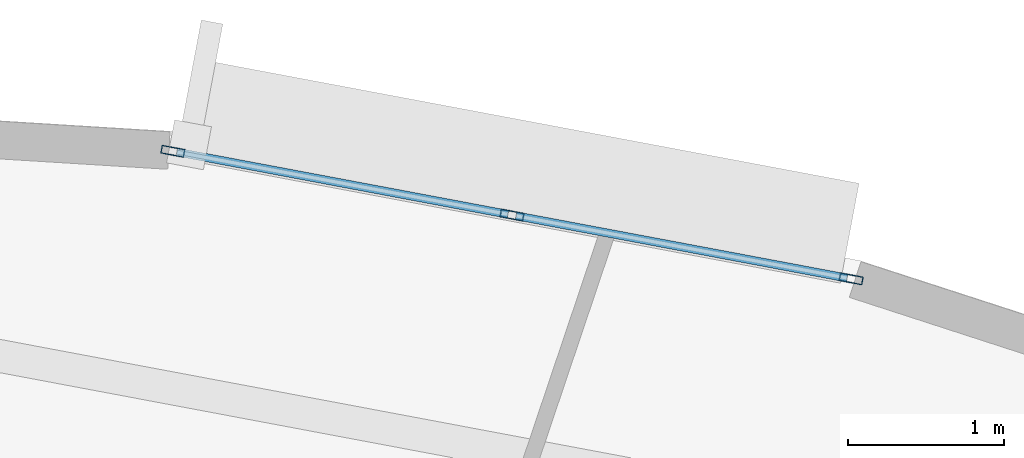
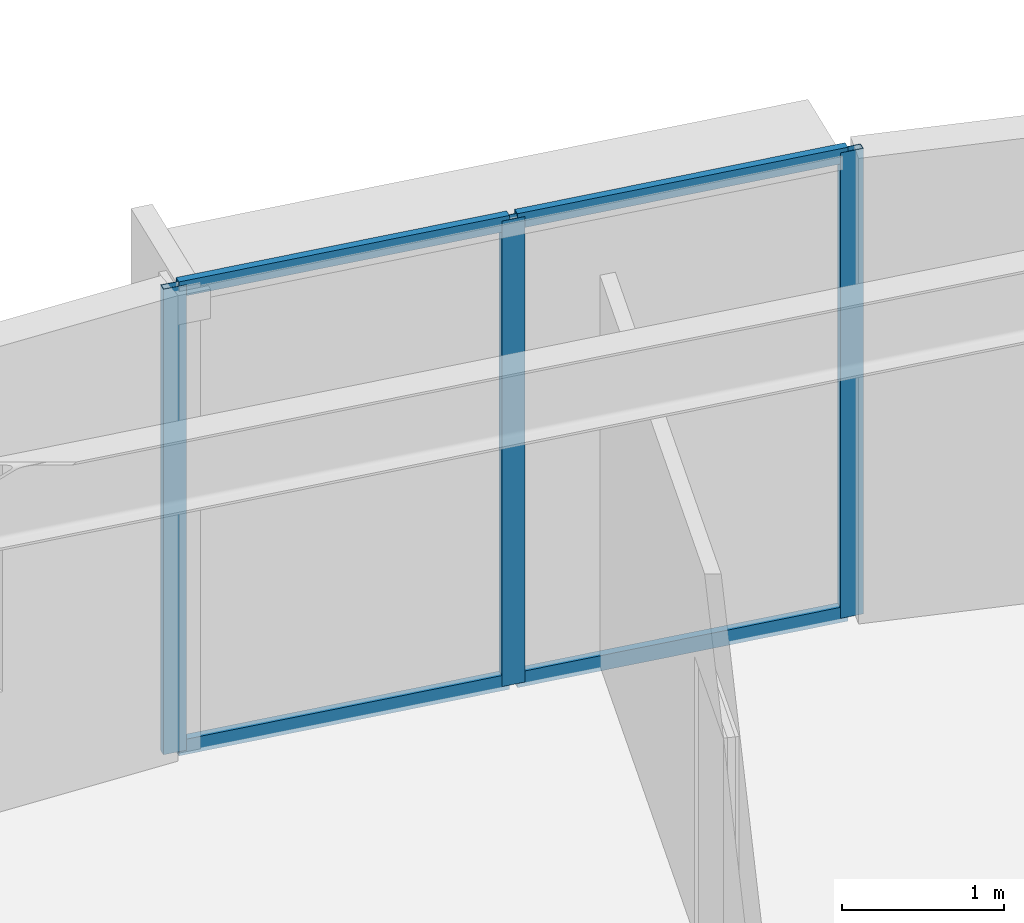
# One storey, part 4 of 19: 7 members, 1 element without a shape of its own.
"""IFC4 building model written with IfcOpenShell, lengths in metres."""

from ifc_helpers import new_model, si_unit, direction, frame, origin, origin_2d, place, context, subcontext, project, spatial, hollow_rectangle, extrude, source, transform, mapped, material, layer, layer_set, material_profile, profile_set, type_object, element, aggregate, save


model = new_model("IFC4")

# Units and contexts
model_context = context("Model", 3, precision=1e-05, world=origin(), true_north=direction((0.0, 1.0)))
body_context = subcontext(model_context, "Body", "Model", "MODEL_VIEW")
ifc_project = project(units=[si_unit("LENGTHUNIT", "METRE"), si_unit("AREAUNIT", "SQUARE_METRE"), si_unit("VOLUMEUNIT", "CUBIC_METRE"), si_unit("PLANEANGLEUNIT", "RADIAN"), si_unit("MASSUNIT", "GRAM", prefix="KILO")], contexts=[model_context])

# Site, building, storey
site_placement = place(None, origin())
site = spatial("IfcSite", under=ifc_project, at=site_placement, CompositionType="ELEMENT")
building_placement = place(site_placement, origin())
building = spatial("IfcBuilding", under=site, at=building_placement, Name="Linh Dai School and Residence Tower", CompositionType="ELEMENT")
storey_placement = place(building_placement, frame((0.0, 0.0, 112.199951171875)))
storey = spatial("IfcBuildingStorey", under=building, at=storey_placement, Name="L26", CompositionType="ELEMENT", Elevation=112.199951171875)

# Curtain wall, members
ifc_material_1 = material(Name="Aluminium Anodised Curtain Wall", Category="aluminium")
ifc_layer = layer(ifc_material_1, 0.14990234375)
ifc_layer_set = layer_set([ifc_layer], Name="Aluminium Anodised Curtain Wall")
curtain_wall_type = type_object("IfcCurtainWallType", Name="CW-SYS-4", PredefinedType="USERDEFINED", material=ifc_layer_set)
curtain_wall_placement = place(storey_placement, origin())
curtain_wall = element("IfcCurtainWall", 1, at=curtain_wall_placement, inside=storey, type_object=curtain_wall_type, Name="L26 CW4 Curtain Wall 09", ObjectType="RIBBON CURTAIN WALL", PredefinedType="USERDEFINED")
ifc_material_2 = material(Name="Aluminium Alloy 6063-T6", Category="aluminium")
ifc_material_profile_1 = material_profile(ifc_material_2, hollow_rectangle(XDim=0.052001953125, YDim=0.14990234375, WallThickness=0.00390625, at=origin_2d()), Name="RHS 150x52x4")
ifc_profile_set_1 = profile_set([ifc_material_profile_1], Name="Aluminium Alloy 6063-T6")
member_type_1 = type_object("IfcMemberType", Name="CW-SYS-4-MUL", PredefinedType="MULLION", material=ifc_profile_set_1)
shared_shape_1 = source(origin(), body_context, "Body", "SweptSolid", [
    extrude(hollow_rectangle(XDim=0.052001953125, YDim=0.14990234375, WallThickness=0.00390625, at=origin_2d()), origin(), (0.0, 0.0, 1.0), 3.5),
])
member_1_placement = place(storey_placement, frame((40.531005859375, 49.22265625, 0.0), z_axis=(0.0, 0.0, 1.0), x_axis=(0.18475466193, 0.982784673718, 0.0)))
member_1 = element("IfcMember", 2, at=member_1_placement, type_object=member_type_1, Name="CW4 mullion 1", PredefinedType="MULLION", context=body_context, shape_type="MappedRepresentation", body=[
    mapped(shared_shape_1, transform((0.0, 0.0, 0.0), x_axis=(1.0, 0.0, 0.0), y_axis=(0.0, 1.0, 0.0), z_axis=(0.0, 0.0, 1.0), scale=1.0)),
])
member_2_placement = place(storey_placement, frame((42.70263671875, 48.814208984375, 0.0), z_axis=(0.0, 0.0, 1.0), x_axis=(0.18475466193, 0.982784673718, 0.0)))
member_2 = element("IfcMember", 3, at=member_2_placement, type_object=member_type_1, Name="CW4 mullion 2", PredefinedType="MULLION", context=body_context, shape_type="MappedRepresentation", body=[
    mapped(shared_shape_1, transform((0.0, 0.0, 0.0), x_axis=(1.0, 0.0, 0.0), y_axis=(0.0, 1.0, 0.0), z_axis=(0.0, 0.0, 1.0), scale=1.0)),
])
member_3_placement = place(storey_placement, frame((44.874267578125, 48.406005859375, 0.0), z_axis=(0.0, 0.0, 1.0), x_axis=(0.18475466193, 0.982784673718, 0.0)))
member_3 = element("IfcMember", 4, at=member_3_placement, type_object=member_type_1, Name="CW4 mullion 3", PredefinedType="MULLION", context=body_context, shape_type="MappedRepresentation", body=[
    mapped(shared_shape_1, transform((0.0, 0.0, 0.0), x_axis=(1.0, 0.0, 0.0), y_axis=(0.0, 1.0, 0.0), z_axis=(0.0, 0.0, 1.0), scale=1.0)),
])
ifc_material_profile_2 = material_profile(ifc_material_2, hollow_rectangle(XDim=0.052001953125, YDim=0.114990234375, WallThickness=0.00390625, at=origin_2d()), Name="RHS 115x52x4")
ifc_profile_set_2 = profile_set([ifc_material_profile_2], Name="Aluminium Alloy 6063-T6")
member_type_2 = type_object("IfcMemberType", Name="CW-SYS-4-TRN", PredefinedType="USERDEFINED", material=ifc_profile_set_2)
shared_shape_2 = source(origin(), body_context, "Body", "SweptSolid", [
    extrude(hollow_rectangle(XDim=0.052001953125, YDim=0.114990234375, WallThickness=0.00390625, at=origin_2d()), origin(), (0.0, 0.0, 1.0), 2.157470703125),
])
member_4_placement = place(storey_placement, frame((40.556640625, 49.2177734375, 0.026123046875), z_axis=(0.982778544787, -0.184787261213, 0.0), x_axis=(0.184787261213, 0.982778544787, 0.0)))
member_4 = element("IfcMember", 5, at=member_4_placement, type_object=member_type_2, Name="CW4 transom 1.1", ObjectType="TRANSOM", PredefinedType="USERDEFINED", context=body_context, shape_type="MappedRepresentation", body=[
    mapped(shared_shape_2, transform((0.0, 0.0, 0.0), x_axis=(1.0, 0.0, 0.0), y_axis=(0.0, 1.0, 0.0), z_axis=(0.0, 0.0, 1.0), scale=1.0)),
])
member_5_placement = place(storey_placement, frame((40.556640625, 49.2177734375, 3.47412109375), z_axis=(0.982778544787, -0.184787261213, 0.0), x_axis=(0.184787261213, 0.982778544787, 0.0)))
member_5 = element("IfcMember", 6, at=member_5_placement, type_object=member_type_2, Name="CW4 transom 1.2", ObjectType="TRANSOM", PredefinedType="USERDEFINED", context=body_context, shape_type="MappedRepresentation", body=[
    mapped(shared_shape_2, transform((0.0, 0.0, 0.0), x_axis=(1.0, 0.0, 0.0), y_axis=(0.0, 1.0, 0.0), z_axis=(0.0, 0.0, 1.0), scale=1.0)),
])
member_6_placement = place(storey_placement, frame((42.728271484375, 48.8095703125, 0.026123046875), z_axis=(0.982778544787, -0.184787261213, 0.0), x_axis=(0.184787261213, 0.982778544787, 0.0)))
member_6 = element("IfcMember", 7, at=member_6_placement, type_object=member_type_2, Name="CW4 transom 2.1", ObjectType="TRANSOM", PredefinedType="USERDEFINED", context=body_context, shape_type="MappedRepresentation", body=[
    mapped(shared_shape_2, transform((0.0, 0.0, 0.0), x_axis=(1.0, 0.0, 0.0), y_axis=(0.0, 1.0, 0.0), z_axis=(0.0, 0.0, 1.0), scale=1.0)),
])
member_7_placement = place(storey_placement, frame((42.728271484375, 48.8095703125, 3.47412109375), z_axis=(0.982778544787, -0.184787261213, 0.0), x_axis=(0.184787261213, 0.982778544787, 0.0)))
member_7 = element("IfcMember", 8, at=member_7_placement, type_object=member_type_2, Name="CW4 transom 2.2", ObjectType="TRANSOM", PredefinedType="USERDEFINED", context=body_context, shape_type="MappedRepresentation", body=[
    mapped(shared_shape_2, transform((0.0, 0.0, 0.0), x_axis=(1.0, 0.0, 0.0), y_axis=(0.0, 1.0, 0.0), z_axis=(0.0, 0.0, 1.0), scale=1.0)),
])
aggregate(curtain_wall, [member_1, member_2, member_3, member_4, member_5, member_6, member_7])

save(model, "model.ifc")
